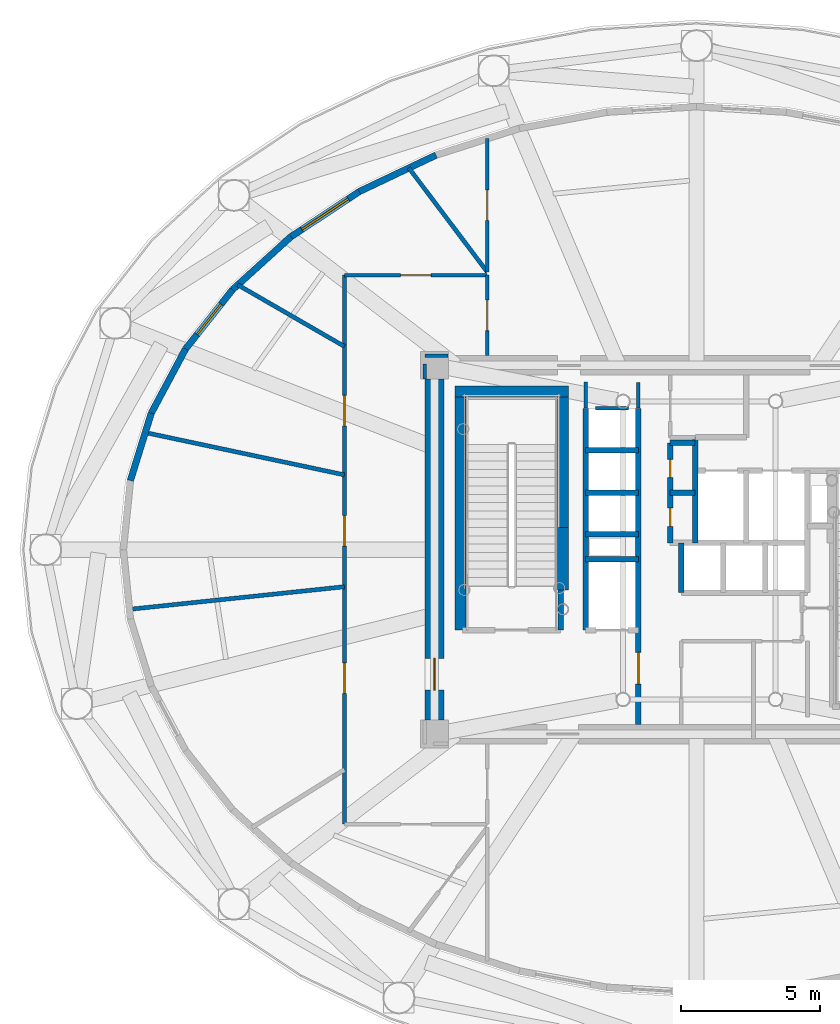
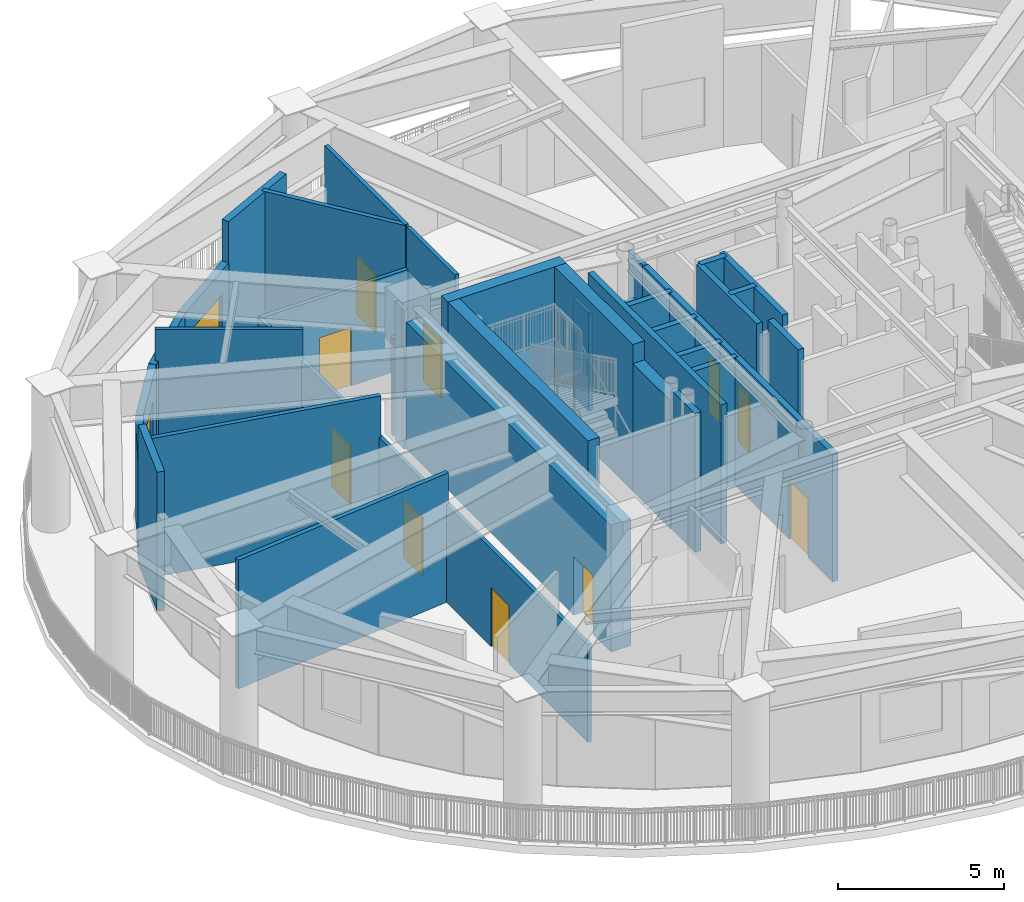
# One storey, part 5 of 14: 36 walls, 10 doors, 2 windows, 12 openings.
"""IFC4 building model written with IfcOpenShell, lengths in metres."""

from ifc_helpers import new_model, si_unit, direction, frame, frame_2d, origin, origin_2d, place, context, subcontext, project, spatial, rectangle, extrude, source, transform, mapped, material, layer, layer_set, type_object, element, fill, save


model = new_model("IFC4")

# Units and contexts
model_context = context("Model", 3, precision=1e-05, world=origin(), true_north=direction((0.0, 1.0)))
body_context = subcontext(model_context, "Body", "Model", "MODEL_VIEW")
ifc_project = project(units=[si_unit("LENGTHUNIT", "METRE"), si_unit("AREAUNIT", "SQUARE_METRE"), si_unit("VOLUMEUNIT", "CUBIC_METRE"), si_unit("PLANEANGLEUNIT", "RADIAN"), si_unit("MASSUNIT", "GRAM", prefix="KILO")], contexts=[model_context])

# Site, building, storey
site_placement = place(None, origin())
site = spatial("IfcSite", under=ifc_project, at=site_placement, CompositionType="ELEMENT")
building_placement = place(site_placement, origin())
building = spatial("IfcBuilding", under=site, at=building_placement, Name="Linh Dai School and Residence Tower", CompositionType="ELEMENT")
storey_placement = place(building_placement, frame((0.0, 0.0, 262.800048828125)))
storey = spatial("IfcBuildingStorey", under=building, at=storey_placement, Name="L65", CompositionType="ELEMENT", Elevation=262.800048828125)

# Wall
ifc_material_1 = material(Name="Precast Concrete B45 (C35/45)", Category="concrete")
ifc_layer_1 = layer(ifc_material_1, 0.239990234375)
ifc_layer_set_1 = layer_set([ifc_layer_1], Name="Precast Concrete B45 (C35/45)")
wall_type_1 = type_object("IfcWallType", Name="EW-TC-240", PredefinedType="SOLIDWALL", material=ifc_layer_set_1)
wall_1_placement = place(storey_placement, frame((23.83544921875, 39.920166015625, 0.0), z_axis=(0.0, 0.0, 1.0), x_axis=(0.903435751873, 0.428723503249, 0.0)))
element("IfcWall", 1, at=wall_1_placement, inside=storey, type_object=wall_type_1, Name="L65 Terracotta Exterior Wall 14", PredefinedType="SOLIDWALL", context=body_context, shape_type="SweptSolid", body=[
    extrude(rectangle(XDim=3.063232421875, YDim=0.239990234375, at=frame_2d((1.53173828125, 0.0))), origin(), (0.0, 0.0, 1.0), 5.099853515625),
])

# Wall, opening, window
wall_2_placement = place(storey_placement, frame((21.36865234375, 38.2890625, 0.0), z_axis=(0.0, 0.0, 1.0), x_axis=(0.834139994044, 0.551552781097, 0.0)))
wall_2 = element("IfcWall", 2, at=wall_2_placement, inside=storey, type_object=wall_type_1, Name="L65 Terracotta Exterior Wall 15", PredefinedType="SOLIDWALL", context=body_context, shape_type="SweptSolid", body=[
    extrude(rectangle(XDim=2.957275390625, YDim=0.239990234375, at=frame_2d((1.478515625, 0.0))), origin(), (0.0, 0.0, 1.0), 3.5849609375),
])
opening_1_placement = place(wall_2_placement, frame((0.478515625, 0.0, 0.89990234375)))
opening_1 = element("IfcOpeningElement", 3, at=opening_1_placement, cuts=wall_2, Name="Opening W5", PredefinedType="OPENING", context=body_context, shape_type="SweptSolid", body=[
    extrude(rectangle(XDim=2.0, YDim=1.800048828125, at=origin_2d()), frame((1.0, 0.1298828125, 0.89990234375), z_axis=(0.0, -1.0, 0.0), x_axis=(1.0, 0.0, 0.0)), (0.0, 0.0, 1.0), 0.260009765625),
])
ifc_material_2 = material(Name="Anodised Aluminium Weather Louvre", Category="aluminium")
window_type = type_object("IfcWindowType", Name="WN-LV-2000x1800", PartitioningType="SINGLE_PANEL", PredefinedType="USERDEFINED", material=ifc_material_2)
shared_shape_1 = source(origin(), body_context, "Body", "SweptSolid", [
    extrude(rectangle(XDim=2.0, YDim=1.800048828125, at=origin_2d()), frame((1.0, 0.030029296875, 0.89990234375), z_axis=(0.0, -1.0, 0.0), x_axis=(1.0, 0.0, 0.0)), (0.0, 0.0, 1.0), 0.06005859375),
])
window_1_placement = place(opening_1_placement, origin())
window_1 = element("IfcWindow", 4, at=window_1_placement, inside=storey, type_object=window_type, Name="L65 Plant Weather Louvre 15", ObjectType="LOUVRE VENT", OverallHeight=1.800048828125, OverallWidth=2.0, PartitioningType="SINGLE_PANEL", PredefinedType="USERDEFINED", context=body_context, shape_type="MappedRepresentation", body=[
    mapped(shared_shape_1, transform((0.0, 0.0, 0.0), x_axis=(1.0, 0.0, 0.0), y_axis=(0.0, 1.0, 0.0), z_axis=(0.0, 0.0, 1.0), scale=1.0)),
])
fill(opening_1, window_1)

# Wall
wall_3_placement = place(storey_placement, frame((19.263671875, 36.380859375, 0.0), z_axis=(0.0, 0.0, 1.0), x_axis=(0.740888066362, 0.67162852316, 0.0)))
element("IfcWall", 5, at=wall_3_placement, inside=storey, type_object=wall_type_1, Name="L65 Terracotta Exterior Wall 16", PredefinedType="SOLIDWALL", context=body_context, shape_type="SweptSolid", body=[
    extrude(rectangle(XDim=2.841064453125, YDim=0.239990234375, at=frame_2d((1.42041015625, 0.0))), origin(), (0.0, 0.0, 1.0), 3.5849609375),
])

# Wall, opening, window
wall_4_placement = place(storey_placement, frame((17.571533203125, 34.242919921875, 0.0), z_axis=(0.0, 0.0, 1.0), x_axis=(0.620613494193, 0.784116630882, 0.0)))
wall_4 = element("IfcWall", 6, at=wall_4_placement, inside=storey, type_object=wall_type_1, Name="L65 Terracotta Exterior Wall 17", PredefinedType="SOLIDWALL", context=body_context, shape_type="SweptSolid", body=[
    extrude(rectangle(XDim=2.7265625, YDim=0.239990234375, at=frame_2d((1.36328125, 0.0))), origin(), (0.0, 0.0, 1.0), 3.5849609375),
])
opening_2_placement = place(wall_4_placement, frame((0.663330078125, 0.0, 0.89990234375)))
opening_2 = element("IfcOpeningElement", 7, at=opening_2_placement, cuts=wall_4, Name="Opening W5", PredefinedType="OPENING", context=body_context, shape_type="SweptSolid", body=[
    extrude(rectangle(XDim=1.39990234375, YDim=1.800048828125, at=origin_2d()), frame((0.699951171875, 0.1298828125, 0.89990234375), z_axis=(0.0, -1.0, 0.0), x_axis=(1.0, 0.0, 0.0)), (0.0, 0.0, 1.0), 0.260009765625),
])
shared_shape_2 = source(origin(), body_context, "Body", "SweptSolid", [
    extrude(rectangle(XDim=1.39990234375, YDim=1.800048828125, at=origin_2d()), frame((0.699951171875, 0.030029296875, 0.89990234375), z_axis=(0.0, -1.0, 0.0), x_axis=(1.0, 0.0, 0.0)), (0.0, 0.0, 1.0), 0.06005859375),
])
window_2_placement = place(opening_2_placement, origin())
window_2 = element("IfcWindow", 8, at=window_2_placement, inside=storey, type_object=window_type, Name="L65 Plant Weather Louvre 17", ObjectType="LOUVRE VENT", OverallHeight=1.800048828125, OverallWidth=1.39990234375, PartitioningType="SINGLE_PANEL", PredefinedType="USERDEFINED", context=body_context, shape_type="MappedRepresentation", body=[
    mapped(shared_shape_2, transform((0.0, 0.0, 0.0), x_axis=(1.0, 0.0, 0.0), y_axis=(0.0, 1.0, 0.0), z_axis=(0.0, 0.0, 1.0), scale=1.0)),
])
fill(opening_2, window_2)

# Walls
wall_5_placement = place(storey_placement, frame((16.333251953125, 31.928466796875, 0.0), z_axis=(0.0, 0.0, 1.0), x_axis=(0.47174643097, 0.881734259778, 0.0)))
element("IfcWall", 9, at=wall_5_placement, inside=storey, type_object=wall_type_1, Name="L65 Terracotta Exterior Wall 18", PredefinedType="SOLIDWALL", context=body_context, shape_type="SweptSolid", body=[
    extrude(rectangle(XDim=2.625, YDim=0.239990234375, at=frame_2d((1.3125, 0.0))), origin(), (0.0, 0.0, 1.0), 3.5849609375),
])
wall_6_placement = place(storey_placement, frame((15.57861328125, 29.494384765625, 0.0), z_axis=(0.0, 0.0, 1.0), x_axis=(0.296124991875, 0.955149197344, 0.0)))
element("IfcWall", 10, at=wall_6_placement, inside=storey, type_object=wall_type_1, Name="L65 Terracotta Exterior Wall 19", PredefinedType="SOLIDWALL", context=body_context, shape_type="SweptSolid", body=[
    extrude(rectangle(XDim=2.54833984375, YDim=0.239990234375, at=frame_2d((1.274169921875, 0.0))), origin(), (0.0, 0.0, 1.0), 5.099853515625),
])

# Wall, openings, doors
ifc_material_3 = material(Name="Autoclaved Aerated Concrete Blockwork", Category="masonry")
ifc_layer_2 = layer(ifc_material_3, 0.135009765625)
ifc_layer_set_2 = layer_set([ifc_layer_2], Name="Autoclaved Aerated Concrete Blockwork")
wall_type_2 = type_object("IfcWallType", Name="IW-CORR-135-EI90", PredefinedType="PARTITIONING", material=ifc_layer_set_2)
wall_7_placement = place(storey_placement, frame((23.300048828125, 17.10009765625, 0.0), z_axis=(0.0, 0.0, 1.0), x_axis=(0.0, 1.0, 0.0)))
wall_7 = element("IfcWall", 11, at=wall_7_placement, inside=storey, type_object=wall_type_2, Name="L65 Interior Partition Wall 005", PredefinedType="PARTITIONING", context=body_context, shape_type="SweptSolid", body=[
    extrude(rectangle(XDim=19.7998046875, YDim=0.135009765625, at=frame_2d((9.89990234375, 0.0))), origin(), (0.0, 0.0, 1.0), 3.5849609375),
])
opening_3_placement = place(wall_7_placement, frame((14.365966796875, 0.0, 0.0)))
opening_3 = element("IfcOpeningElement", 12, at=opening_3_placement, cuts=wall_7, Name="Opening D07", PredefinedType="OPENING", context=body_context, shape_type="SweptSolid", body=[
    extrude(rectangle(XDim=1.10009765625, YDim=2.14990234375, at=origin_2d()), frame((0.550048828125, 0.07763671875, 1.074951171875), z_axis=(0.0, -1.0, 0.0), x_axis=(1.0, 0.0, 0.0)), (0.0, 0.0, 1.0), 0.155029296875),
])
opening_4_placement = place(wall_7_placement, frame((10.0322265625, 0.0, 0.0)))
opening_4 = element("IfcOpeningElement", 13, at=opening_4_placement, cuts=wall_7, Name="Opening D07", PredefinedType="OPENING", context=body_context, shape_type="SweptSolid", body=[
    extrude(rectangle(XDim=1.10009765625, YDim=2.14990234375, at=origin_2d()), frame((0.550048828125, 0.07763671875, 1.074951171875), z_axis=(0.0, -1.0, 0.0), x_axis=(1.0, 0.0, 0.0)), (0.0, 0.0, 1.0), 0.155029296875),
])
opening_5_placement = place(wall_7_placement, frame((4.714599609375, 0.0, 0.0)))
opening_5 = element("IfcOpeningElement", 14, at=opening_5_placement, cuts=wall_7, Name="Opening D07", PredefinedType="OPENING", context=body_context, shape_type="SweptSolid", body=[
    extrude(rectangle(XDim=1.10009765625, YDim=2.14990234375, at=origin_2d()), frame((0.550048828125, 0.07763671875, 1.074951171875), z_axis=(0.0, -1.0, 0.0), x_axis=(1.0, 0.0, 0.0)), (0.0, 0.0, 1.0), 0.155029296875),
])
ifc_material_4 = material(Name="Fire-Rated Louvred Steel Plant Door", Category="steel")
door_type_1 = type_object("IfcDoorType", Name="DR-PLT-1100x2150-FD60S", OperationType="NOTDEFINED", PredefinedType="DOOR", material=ifc_material_4)
shared_shape_3 = source(origin(), body_context, "Body", "SweptSolid", [
    extrude(rectangle(XDim=1.10009765625, YDim=2.14990234375, at=origin_2d()), frame((0.550048828125, 0.02490234375, 1.074951171875), z_axis=(0.0, -1.0, 0.0), x_axis=(1.0, 0.0, 0.0)), (0.0, 0.0, 1.0), 0.050048828125),
])
door_1_placement = place(opening_3_placement, origin())
door_1 = element("IfcDoor", 15, at=door_1_placement, inside=storey, type_object=door_type_1, Name="L65 Heat-Recovery Ventilation Plant Room West 1 Door", OperationType="SINGLE_SWING_LEFT", OverallHeight=2.14990234375, OverallWidth=1.10009765625, PredefinedType="DOOR", context=body_context, shape_type="MappedRepresentation", body=[
    mapped(shared_shape_3, transform((0.0, 0.0, 0.0), x_axis=(1.0, 0.0, 0.0), y_axis=(0.0, 1.0, 0.0), z_axis=(0.0, 0.0, 1.0), scale=1.0)),
])
fill(opening_3, door_1)
door_2_placement = place(opening_4_placement, origin())
door_2 = element("IfcDoor", 16, at=door_2_placement, inside=storey, type_object=door_type_1, Name="L65 Chilled-Water Heat-Exchanger Plant Room West Door", OperationType="SINGLE_SWING_RIGHT", OverallHeight=2.14990234375, OverallWidth=1.10009765625, PredefinedType="DOOR", context=body_context, shape_type="MappedRepresentation", body=[
    mapped(shared_shape_3, transform((0.0, 0.0, 0.0), x_axis=(1.0, 0.0, 0.0), y_axis=(0.0, 1.0, 0.0), z_axis=(0.0, 0.0, 1.0), scale=1.0)),
])
fill(opening_4, door_2)
door_3_placement = place(opening_5_placement, origin())
door_3 = element("IfcDoor", 17, at=door_3_placement, inside=storey, type_object=door_type_1, Name="L65 Heat-Recovery Ventilation Plant Room West 2 Door", OperationType="SINGLE_SWING_LEFT", OverallHeight=2.14990234375, OverallWidth=1.10009765625, PredefinedType="DOOR", context=body_context, shape_type="MappedRepresentation", body=[
    mapped(shared_shape_3, transform((0.0, 0.0, 0.0), x_axis=(1.0, 0.0, 0.0), y_axis=(0.0, 1.0, 0.0), z_axis=(0.0, 0.0, 1.0), scale=1.0)),
])
fill(opening_5, door_3)

# Wall, opening, door
wall_8_placement = place(storey_placement, frame((23.300048828125, 36.89990234375, 0.0), z_axis=(0.0, 0.0, 1.0), x_axis=(1.0, 0.0, 0.0)))
wall_8 = element("IfcWall", 18, at=wall_8_placement, inside=storey, type_object=wall_type_2, Name="L65 Interior Partition Wall 007", PredefinedType="PARTITIONING", context=body_context, shape_type="SweptSolid", body=[
    extrude(rectangle(XDim=5.14990234375, YDim=0.135009765625, at=frame_2d((2.574951171875, 0.0))), origin(), (0.0, 0.0, 1.0), 3.5849609375),
])
opening_6_placement = place(wall_8_placement, frame((2.02490234375, 0.0, 0.0)))
opening_6 = element("IfcOpeningElement", 19, at=opening_6_placement, cuts=wall_8, Name="Opening D07", PredefinedType="OPENING", context=body_context, shape_type="SweptSolid", body=[
    extrude(rectangle(XDim=1.10009765625, YDim=2.14990234375, at=origin_2d()), frame((0.550048828125, 0.07763671875, 1.074951171875), z_axis=(0.0, -1.0, 0.0), x_axis=(1.0, 0.0, 0.0)), (0.0, 0.0, 1.0), 0.155029296875),
])
door_4_placement = place(opening_6_placement, origin())
door_4 = element("IfcDoor", 20, at=door_4_placement, inside=storey, type_object=door_type_1, Name="L65 Zone LV Switchboard Plant Room Door", OperationType="SINGLE_SWING_RIGHT", OverallHeight=2.14990234375, OverallWidth=1.10009765625, PredefinedType="DOOR", context=body_context, shape_type="MappedRepresentation", body=[
    mapped(shared_shape_3, transform((0.0, 0.0, 0.0), x_axis=(1.0, 0.0, 0.0), y_axis=(0.0, 1.0, 0.0), z_axis=(0.0, 0.0, 1.0), scale=1.0)),
])
fill(opening_6, door_4)

wall_9_placement = place(storey_placement, frame((28.449951171875, 34.0, 0.0), z_axis=(0.0, 0.0, 1.0), x_axis=(0.0, 1.0, 0.0)))
wall_9 = element("IfcWall", 21, at=wall_9_placement, inside=storey, type_object=wall_type_2, Name="L65 Interior Partition Wall 013", PredefinedType="PARTITIONING", context=body_context, shape_type="SweptSolid", body=[
    extrude(rectangle(XDim=2.89990234375, YDim=0.135009765625, at=frame_2d((1.449951171875, 0.0))), origin(), (0.0, 0.0, 1.0), 5.099853515625),
])
opening_7_placement = place(wall_9_placement, frame((0.89990234375, 0.0, 0.0)))
opening_7 = element("IfcOpeningElement", 22, at=opening_7_placement, cuts=wall_9, Name="Opening D07", PredefinedType="OPENING", context=body_context, shape_type="SweptSolid", body=[
    extrude(rectangle(XDim=1.10009765625, YDim=2.14990234375, at=origin_2d()), frame((0.550048828125, 0.07763671875, 1.074951171875), z_axis=(0.0, -1.0, 0.0), x_axis=(1.0, 0.0, 0.0)), (0.0, 0.0, 1.0), 0.155029296875),
])
door_5_placement = place(opening_7_placement, origin())
door_5 = element("IfcDoor", 23, at=door_5_placement, inside=storey, type_object=door_type_1, Name="L65 Pressurised Fire Refuge Area North Corridor Door", OperationType="SINGLE_SWING_RIGHT", OverallHeight=2.14990234375, OverallWidth=1.10009765625, PredefinedType="DOOR", context=body_context, shape_type="MappedRepresentation", body=[
    mapped(shared_shape_3, transform((0.0, 0.0, 0.0), x_axis=(1.0, 0.0, 0.0), y_axis=(0.0, 1.0, 0.0), z_axis=(0.0, 0.0, 1.0), scale=1.0)),
])
fill(opening_7, door_5)

wall_10_placement = place(storey_placement, frame((28.449951171875, 37.019287109375, 0.0), z_axis=(0.0, 0.0, 1.0), x_axis=(0.0, 1.0, 0.0)))
wall_10 = element("IfcWall", 24, at=wall_10_placement, inside=storey, type_object=wall_type_2, Name="L65 Interior Partition Wall 014", PredefinedType="PARTITIONING", context=body_context, shape_type="SweptSolid", body=[
    extrude(rectangle(XDim=4.811767578125, YDim=0.135009765625, at=frame_2d((2.40576171875, 0.0))), origin(), (0.0, 0.0, 1.0), 5.099853515625),
])
opening_8_placement = place(wall_10_placement, frame((1.85595703125, 0.0, 0.0)))
opening_8 = element("IfcOpeningElement", 25, at=opening_8_placement, cuts=wall_10, Name="Opening D07", PredefinedType="OPENING", context=body_context, shape_type="SweptSolid", body=[
    extrude(rectangle(XDim=1.10009765625, YDim=2.14990234375, at=origin_2d()), frame((0.550048828125, 0.07763671875, 1.074951171875), z_axis=(0.0, -1.0, 0.0), x_axis=(1.0, 0.0, 0.0)), (0.0, 0.0, 1.0), 0.155029296875),
])
door_6_placement = place(opening_8_placement, origin())
door_6 = element("IfcDoor", 26, at=door_6_placement, inside=storey, type_object=door_type_1, Name="L65 Zone HV Transformer Plant Room Door", OperationType="SINGLE_SWING_LEFT", OverallHeight=2.14990234375, OverallWidth=1.10009765625, PredefinedType="DOOR", context=body_context, shape_type="MappedRepresentation", body=[
    mapped(shared_shape_3, transform((0.0, 0.0, 0.0), x_axis=(1.0, 0.0, 0.0), y_axis=(0.0, 1.0, 0.0), z_axis=(0.0, 0.0, 1.0), scale=1.0)),
])
fill(opening_8, door_6)

# Walls
wall_11_placement = place(storey_placement, frame((32.360107421875, 32.10009765625, 0.0), z_axis=(0.0, 0.0, 1.0), x_axis=(1.0, 0.0, 0.0)))
element("IfcWall", 27, at=wall_11_placement, inside=storey, type_object=wall_type_2, Name="L65 Interior Partition Wall 057", PredefinedType="PARTITIONING", context=body_context, shape_type="SweptSolid", body=[
    extrude(rectangle(XDim=1.179931640625, YDim=0.135009765625, at=frame_2d((0.58984375, 0.0))), origin(), (0.0, 0.0, 1.0), 3.5849609375),
])
wall_12_placement = place(storey_placement, frame((32.0, 33.0400390625, 0.0), z_axis=(0.0, 0.0, 1.0), x_axis=(0.0, -1.0, 0.0)))
element("IfcWall", 28, at=wall_12_placement, inside=storey, type_object=wall_type_2, Name="L65 Interior Partition Wall 059", PredefinedType="PARTITIONING", context=body_context, shape_type="SweptSolid", body=[
    extrude(rectangle(XDim=0.929931640625, YDim=0.135009765625, at=frame_2d((0.46484375, 0.0))), origin(), (0.0, 0.0, 1.0), 3.5849609375),
])
wall_13_placement = place(storey_placement, frame((33.89990234375, 32.110107421875, 0.0), z_axis=(0.0, 0.0, 1.0), x_axis=(0.0, 1.0, 0.0)))
element("IfcWall", 29, at=wall_13_placement, inside=storey, type_object=wall_type_2, Name="L65 Interior Partition Wall 061", PredefinedType="PARTITIONING", context=body_context, shape_type="SweptSolid", body=[
    extrude(rectangle(XDim=0.929931640625, YDim=0.135009765625, at=frame_2d((0.46484375, 0.0))), origin(), (0.0, 0.0, 1.0), 4.68505859375),
])
wall_14_placement = place(storey_placement, frame((27.0400390625, 34.0, 0.0), z_axis=(0.0, 0.0, 1.0), x_axis=(-1.0, 0.0, 0.0)))
element("IfcWall", 30, at=wall_14_placement, inside=storey, type_object=wall_type_2, Name="L65 Interior Partition Wall 062", PredefinedType="PARTITIONING", context=body_context, shape_type="SweptSolid", body=[
    extrude(rectangle(XDim=0.840087890625, YDim=0.135009765625, at=frame_2d((0.419921875, 0.0))), origin(), (0.0, 0.0, 1.0), 3.5849609375),
])
wall_15_placement = place(storey_placement, frame((26.199951171875, 33.6923828125, 0.0), z_axis=(0.0, 0.0, 1.0), x_axis=(0.0, -1.0, 0.0)))
element("IfcWall", 31, at=wall_15_placement, inside=storey, type_object=wall_type_2, Name="L65 Interior Partition Wall 063", PredefinedType="PARTITIONING", context=body_context, shape_type="SweptSolid", body=[
    extrude(rectangle(XDim=0.532470703125, YDim=0.135009765625, at=frame_2d((0.26611328125, 0.0))), origin(), (0.0, 0.0, 1.0), 5.099853515625),
])
ifc_layer_3 = layer(ifc_material_3, 0.14990234375)
ifc_layer_set_3 = layer_set([ifc_layer_3], Name="Autoclaved Aerated Concrete Blockwork")
wall_type_3 = type_object("IfcWallType", Name="IW-SCH-150-EI60", PredefinedType="PARTITIONING", material=ifc_layer_set_3)
wall_16_placement = place(storey_placement, frame((15.53857421875, 24.849365234375, 0.0), z_axis=(0.0, 0.0, 1.0), x_axis=(0.994519842294, 0.104547995123, 0.0)))
element("IfcWall", 32, at=wall_16_placement, inside=storey, type_object=wall_type_3, Name="L65 Interior Partition Wall 001", PredefinedType="PARTITIONING", context=body_context, shape_type="SweptSolid", body=[
    extrude(rectangle(XDim=7.80419921875, YDim=0.14990234375, at=frame_2d((3.902099609375, 0.0))), origin(), (0.0, 0.0, 1.0), 4.724853515625),
])
wall_17_placement = place(storey_placement, frame((16.11083984375, 31.2275390625, 0.0), z_axis=(0.0, 0.0, 1.0), x_axis=(0.978148634771, -0.207906825994, 0.0)))
element("IfcWall", 33, at=wall_17_placement, inside=storey, type_object=wall_type_3, Name="L65 Interior Partition Wall 002", PredefinedType="PARTITIONING", context=body_context, shape_type="SweptSolid", body=[
    extrude(rectangle(XDim=7.349853515625, YDim=0.14990234375, at=frame_2d((3.6748046875, 0.0))), origin(), (0.0, 0.0, 1.0), 5.099853515625),
])
wall_18_placement = place(storey_placement, frame((19.44921875, 36.5556640625, 0.0), z_axis=(0.0, 0.0, 1.0), x_axis=(0.866014605104, -0.500018703397, 0.0)))
element("IfcWall", 34, at=wall_18_placement, inside=storey, type_object=wall_type_3, Name="L65 Interior Partition Wall 003", PredefinedType="PARTITIONING", context=body_context, shape_type="SweptSolid", body=[
    extrude(rectangle(XDim=4.446533203125, YDim=0.14990234375, at=frame_2d((2.22314453125, 0.0))), origin(), (0.0, 0.0, 1.0), 4.724853515625),
])
wall_19_placement = place(storey_placement, frame((25.62109375, 40.773193359375, 0.0), z_axis=(0.0, 0.0, 1.0), x_axis=(0.601826714874, -0.798626699569, 0.0)))
element("IfcWall", 35, at=wall_19_placement, inside=storey, type_object=wall_type_3, Name="L65 Interior Partition Wall 009", PredefinedType="PARTITIONING", context=body_context, shape_type="SweptSolid", body=[
    extrude(rectangle(XDim=4.700439453125, YDim=0.14990234375, at=frame_2d((2.35009765625, 0.0))), origin(), (0.0, 0.0, 1.0), 5.099853515625),
])
ifc_material_5 = material(Name="Concrete B45 (C35/45)", Category="concrete")
ifc_layer_4 = layer(ifc_material_5, 0.199951171875)
ifc_layer_set_4 = layer_set([ifc_layer_4], Name="Concrete B45 (C35/45)")
wall_type_4 = type_object("IfcWallType", Name="IW-SHAFT-200-EI120", PredefinedType="PARTITIONING", material=ifc_layer_set_4)
wall_20_placement = place(storey_placement, frame((31.10009765625, 24.10009765625, 0.0), z_axis=(0.0, 0.0, 1.0), x_axis=(0.0, 1.0, 0.0)))
element("IfcWall", 36, at=wall_20_placement, inside=storey, type_object=wall_type_4, Name="L65 Interior Partition Wall 015", PredefinedType="PARTITIONING", context=body_context, shape_type="SweptSolid", body=[
    extrude(rectangle(XDim=1.43994140625, YDim=0.199951171875, at=frame_2d((0.719970703125, 0.0))), origin(), (0.0, 0.0, 1.0), 5.099853515625),
])
wall_21_placement = place(storey_placement, frame((32.0, 24.10009765625, 0.0), z_axis=(0.0, 0.0, 1.0), x_axis=(0.0, 1.0, 0.0)))
element("IfcWall", 37, at=wall_21_placement, inside=storey, type_object=wall_type_4, Name="L65 Interior Partition Wall 016", PredefinedType="PARTITIONING", context=body_context, shape_type="SweptSolid", body=[
    extrude(rectangle(XDim=8.0, YDim=0.199951171875, at=frame_2d((4.0, 0.0))), origin(), (0.0, 0.0, 1.0), 5.099853515625),
])
for number, where, z_axis, x_axis, name in (
    (38, (32.0, 26.64990234375, 0.0), (0.0, 0.0, 1.0), (1.0, 0.0, 0.0), "L65 Interior Partition Wall 018"),
    (39, (32.0, 27.550048828125, 0.0), (0.0, 0.0, 1.0), (1.0, 0.0, 0.0), "L65 Interior Partition Wall 019"),
    (40, (32.0, 29.06005859375, 0.0), (0.0, 0.0, 1.0), (1.0, 0.0, 0.0), "L65 Interior Partition Wall 020"),
    (41, (32.0, 30.580078125, 0.0), (0.0, 0.0, 1.0), (1.0, 0.0, 0.0), "L65 Interior Partition Wall 021"),
):
    element("IfcWall", number, at=place(storey_placement, frame(where, z_axis=z_axis, x_axis=x_axis)), inside=storey, type_object=wall_type_4, Name=name, PredefinedType="PARTITIONING", context=body_context, shape_type="SweptSolid", body=[
        extrude(rectangle(XDim=1.89990234375, YDim=0.199951171875, at=frame_2d((0.949951171875, 0.0))), origin(), (0.0, 0.0, 1.0), 4.68505859375),
    ])

# Wall, opening, door
wall_22_placement = place(storey_placement, frame((33.89990234375, 20.699951171875, 0.0), z_axis=(0.0, 0.0, 1.0), x_axis=(0.0, 1.0, 0.0)))
wall_22 = element("IfcWall", 42, at=wall_22_placement, inside=storey, type_object=wall_type_4, Name="L65 Interior Partition Wall 022", PredefinedType="PARTITIONING", context=body_context, shape_type="SweptSolid", body=[
    extrude(rectangle(XDim=11.400146484375, YDim=0.199951171875, at=frame_2d((5.7001953125, 0.0))), origin(), (0.0, 0.0, 1.0), 4.68505859375),
])
opening_9_placement = place(wall_22_placement, frame((1.452392578125, 0.0, 0.0)))
opening_9 = element("IfcOpeningElement", 43, at=opening_9_placement, cuts=wall_22, Name="Opening D02", PredefinedType="OPENING", context=body_context, shape_type="SweptSolid", body=[
    extrude(rectangle(XDim=1.14990234375, YDim=2.14990234375, at=origin_2d()), frame((0.574951171875, 0.10986328125, 1.074951171875), z_axis=(0.0, -1.0, 0.0), x_axis=(1.0, 0.0, 0.0)), (0.0, 0.0, 1.0), 0.219970703125),
])
ifc_material_6 = material(Name="Fire-Rated Glazed Steel Lobby Door", Category="steel")
door_type_2 = type_object("IfcDoorType", Name="DR-LOBBY-1150x2150-FD90S", OperationType="NOTDEFINED", PredefinedType="DOOR", material=ifc_material_6)
shared_shape_4 = source(origin(), body_context, "Body", "SweptSolid", [
    extrude(rectangle(XDim=1.14990234375, YDim=2.14990234375, at=origin_2d()), frame((0.574951171875, 0.02490234375, 1.074951171875), z_axis=(0.0, -1.0, 0.0), x_axis=(1.0, 0.0, 0.0)), (0.0, 0.0, 1.0), 0.050048828125),
])
door_7_placement = place(opening_9_placement, origin())
door_7 = element("IfcDoor", 44, at=door_7_placement, inside=storey, type_object=door_type_2, Name="L65 Passenger Foyer Access Door", OperationType="SINGLE_SWING_RIGHT", OverallHeight=2.14990234375, OverallWidth=1.14990234375, PredefinedType="DOOR", context=body_context, shape_type="MappedRepresentation", body=[
    mapped(shared_shape_4, transform((0.0, 0.0, 0.0), x_axis=(1.0, 0.0, 0.0), y_axis=(0.0, 1.0, 0.0), z_axis=(0.0, 0.0, 1.0), scale=1.0)),
])
fill(opening_9, door_7)

# Wall, openings, doors
wall_23_placement = place(storey_placement, frame((35.050048828125, 27.25, 0.0), z_axis=(0.0, 0.0, 1.0), x_axis=(0.0, 1.0, 0.0)))
wall_23 = element("IfcWall", 45, at=wall_23_placement, inside=storey, type_object=wall_type_4, Name="L65 Interior Partition Wall 023", PredefinedType="PARTITIONING", context=body_context, shape_type="SweptSolid", body=[
    extrude(rectangle(XDim=3.60009765625, YDim=0.199951171875, at=frame_2d((1.800048828125, 0.0))), origin(), (0.0, 0.0, 1.0), 5.099853515625),
])
opening_10_placement = place(wall_23_placement, frame((0.590087890625, 0.0, 0.0)))
opening_10 = element("IfcOpeningElement", 46, at=opening_10_placement, cuts=wall_23, Name="Opening AD1", PredefinedType="OPENING", context=body_context, shape_type="SweptSolid", body=[
    extrude(rectangle(XDim=0.659912109375, YDim=2.050048828125, at=origin_2d()), frame((0.330078125, 0.10986328125, 1.02490234375), z_axis=(0.0, -1.0, 0.0), x_axis=(1.0, 0.0, 0.0)), (0.0, 0.0, 1.0), 0.219970703125),
])
opening_11_placement = place(wall_23_placement, frame((2.35009765625, 0.0, 0.0)))
opening_11 = element("IfcOpeningElement", 47, at=opening_11_placement, cuts=wall_23, Name="Opening AD1", PredefinedType="OPENING", context=body_context, shape_type="SweptSolid", body=[
    extrude(rectangle(XDim=0.659912109375, YDim=2.050048828125, at=origin_2d()), frame((0.330078125, 0.10986328125, 1.02490234375), z_axis=(0.0, -1.0, 0.0), x_axis=(1.0, 0.0, 0.0)), (0.0, 0.0, 1.0), 0.219970703125),
])
ifc_material_7 = material(Name="Fire-Rated Steel Riser Access Door", Category="steel")
door_type_3 = type_object("IfcDoorType", Name="DR-ACC-660x2050-FD90S", OperationType="NOTDEFINED", PredefinedType="USERDEFINED", material=ifc_material_7)
shared_shape_5 = source(origin(), body_context, "Body", "SweptSolid", [
    extrude(rectangle(XDim=0.659912109375, YDim=2.050048828125, at=origin_2d()), frame((0.330078125, 0.02490234375, 1.02490234375), z_axis=(0.0, -1.0, 0.0), x_axis=(1.0, 0.0, 0.0)), (0.0, 0.0, 1.0), 0.050048828125),
])
door_8_placement = place(opening_10_placement, origin())
door_8 = element("IfcDoor", 48, at=door_8_placement, inside=storey, type_object=door_type_3, Name="L65 Telecom and Data Riser Access Door", ObjectType="ACCESS DOOR", OperationType="SINGLE_SWING_LEFT", OverallHeight=2.050048828125, OverallWidth=0.659912109375, PredefinedType="USERDEFINED", context=body_context, shape_type="MappedRepresentation", body=[
    mapped(shared_shape_5, transform((0.0, 0.0, 0.0), x_axis=(1.0, 0.0, 0.0), y_axis=(0.0, 1.0, 0.0), z_axis=(0.0, 0.0, 1.0), scale=1.0)),
])
fill(opening_10, door_8)
door_9_placement = place(opening_11_placement, origin())
door_9 = element("IfcDoor", 49, at=door_9_placement, inside=storey, type_object=door_type_3, Name="L65 Mechanical and Plumbing Riser Access Door", ObjectType="ACCESS DOOR", OperationType="SINGLE_SWING_RIGHT", OverallHeight=2.050048828125, OverallWidth=0.659912109375, PredefinedType="USERDEFINED", context=body_context, shape_type="MappedRepresentation", body=[
    mapped(shared_shape_5, transform((0.0, 0.0, 0.0), x_axis=(1.0, 0.0, 0.0), y_axis=(0.0, 1.0, 0.0), z_axis=(0.0, 0.0, 1.0), scale=1.0)),
])
fill(opening_11, door_9)

# Walls
for number, where, z_axis, x_axis, name in (
    (50, (35.050048828125, 29.050048828125, 0.0), (0.0, 0.0, 1.0), (1.0, 0.0, 0.0), "L65 Interior Partition Wall 025"),
    (51, (35.050048828125, 30.85009765625, 0.0), (0.0, 0.0, 1.0), (1.0, 0.0, 0.0), "L65 Interior Partition Wall 026"),
):
    element("IfcWall", number, at=place(storey_placement, frame(where, z_axis=z_axis, x_axis=x_axis)), inside=storey, type_object=wall_type_4, Name=name, PredefinedType="PARTITIONING", context=body_context, shape_type="SweptSolid", body=[
        extrude(rectangle(XDim=0.89990234375, YDim=0.199951171875, at=frame_2d((0.449951171875, 0.0))), origin(), (0.0, 0.0, 1.0), 5.099853515625),
    ])
wall_24_placement = place(storey_placement, frame((35.449951171875, 25.449951171875, 0.0), z_axis=(0.0, 0.0, 1.0), x_axis=(0.0, 1.0, 0.0)))
element("IfcWall", 52, at=wall_24_placement, inside=storey, type_object=wall_type_4, Name="L65 Interior Partition Wall 031", PredefinedType="PARTITIONING", context=body_context, shape_type="SweptSolid", body=[
    extrude(rectangle(XDim=1.800048828125, YDim=0.199951171875, at=frame_2d((0.89990234375, 0.0))), origin(), (0.0, 0.0, 1.0), 5.099853515625),
])
wall_25_placement = place(storey_placement, frame((35.949951171875, 27.25, 0.0), z_axis=(0.0, 0.0, 1.0), x_axis=(0.0, 1.0, 0.0)))
element("IfcWall", 53, at=wall_25_placement, inside=storey, type_object=wall_type_4, Name="L65 Interior Partition Wall 033", PredefinedType="PARTITIONING", context=body_context, shape_type="SweptSolid", body=[
    extrude(rectangle(XDim=3.800048828125, YDim=0.199951171875, at=frame_2d((1.89990234375, 0.0))), origin(), (0.0, 0.0, 1.0), 5.099853515625),
])
ifc_layer_5 = layer(ifc_material_5, 0.39990234375)
ifc_layer_set_5 = layer_set([ifc_layer_5], Name="Concrete B45 (C35/45)")
wall_type_5 = type_object("IfcWallType", Name="WL-CORE400", PredefinedType="SHEAR", material=ifc_layer_set_5)
wall_26_placement = place(storey_placement, frame((27.47998046875, 24.10009765625, 0.0), z_axis=(0.0, 0.0, 1.0), x_axis=(0.0, 1.0, 0.0)))
element("IfcWall", 54, at=wall_26_placement, inside=storey, type_object=wall_type_5, Name="L65 Core Stair ST1 Bearing Wall W", PredefinedType="SHEAR", context=body_context, shape_type="SweptSolid", body=[
    extrude(rectangle(XDim=8.599853515625, YDim=0.39990234375, at=frame_2d((4.2998046875, 0.0))), origin(), (0.0, 0.0, 1.0), 5.39990234375),
])
wall_27_placement = place(storey_placement, frame((31.179931640625, 27.800048828125, 0.0), z_axis=(0.0, 0.0, 1.0), x_axis=(0.0, 1.0, 0.0)))
element("IfcWall", 55, at=wall_27_placement, inside=storey, type_object=wall_type_5, Name="L65 Core Stair ST1 Bearing Wall E", PredefinedType="SHEAR", context=body_context, shape_type="SweptSolid", body=[
    extrude(rectangle(XDim=4.89990234375, YDim=0.39990234375, at=frame_2d((2.449951171875, 0.0))), origin(), (0.0, 0.0, 1.0), 5.39990234375),
])
wall_28_placement = place(storey_placement, frame((27.280029296875, 32.699951171875, 0.0), z_axis=(0.0, 0.0, 1.0), x_axis=(1.0, 0.0, 0.0)))
element("IfcWall", 56, at=wall_28_placement, inside=storey, type_object=wall_type_5, Name="L65 Core Stair ST1 Bearing Wall N", PredefinedType="SHEAR", context=body_context, shape_type="SweptSolid", body=[
    extrude(rectangle(XDim=4.099853515625, YDim=0.39990234375, at=frame_2d((2.0498046875, 0.0))), origin(), (0.0, 0.0, 1.0), 5.39990234375),
])
wall_29_placement = place(storey_placement, frame((31.179931640625, 25.550048828125, 0.0), z_axis=(0.0, 0.0, 1.0), x_axis=(0.0, 1.0, 0.0)))
element("IfcWall", 57, at=wall_29_placement, inside=storey, type_object=wall_type_5, Name="L65 Internal Core Shear Wall IW", PredefinedType="SHEAR", context=body_context, shape_type="SweptSolid", body=[
    extrude(rectangle(XDim=2.25, YDim=0.39990234375, at=frame_2d((1.125, 0.0))), origin(), (0.0, 0.0, 1.0), 4.699951171875),
])

# Wall, opening, door
ifc_layer_6 = layer(ifc_material_5, 0.699951171875)
ifc_layer_set_6 = layer_set([ifc_layer_6], Name="Concrete B45 (C35/45)")
wall_type_6 = type_object("IfcWallType", Name="WL-CORE700", PredefinedType="SHEAR", material=ifc_layer_set_6)
wall_30_placement = place(storey_placement, frame((26.550048828125, 20.85009765625, 0.0), z_axis=(0.0, 0.0, 1.0), x_axis=(0.0, 1.0, 0.0)))
wall_30 = element("IfcWall", 58, at=wall_30_placement, inside=storey, type_object=wall_type_6, Name="L65 Central Core Shear Wall W", PredefinedType="SHEAR", context=body_context, shape_type="SweptSolid", body=[
    extrude(rectangle(XDim=12.2998046875, YDim=0.699951171875, at=frame_2d((6.14990234375, 0.0))), origin(), (0.0, 0.0, 1.0), 4.64990234375),
])
opening_12_placement = place(wall_30_placement, frame((1.085205078125, 0.0, 0.0)))
opening_12 = element("IfcOpeningElement", 59, at=opening_12_placement, cuts=wall_30, Name="Opening D02", PredefinedType="OPENING", context=body_context, shape_type="SweptSolid", body=[
    extrude(rectangle(XDim=1.14990234375, YDim=2.14990234375, at=origin_2d()), frame((0.574951171875, 0.35986328125, 1.074951171875), z_axis=(0.0, -1.0, 0.0), x_axis=(1.0, 0.0, 0.0)), (0.0, 0.0, 1.0), 0.719970703125),
])
door_10_placement = place(opening_12_placement, origin())
door_10 = element("IfcDoor", 60, at=door_10_placement, inside=storey, type_object=door_type_2, Name="L65 Firefighting Lobby Door", OperationType="SINGLE_SWING_LEFT", OverallHeight=2.14990234375, OverallWidth=1.14990234375, PredefinedType="DOOR", context=body_context, shape_type="MappedRepresentation", body=[
    mapped(shared_shape_4, transform((0.0, 0.0, 0.0), x_axis=(1.0, 0.0, 0.0), y_axis=(0.0, 1.0, 0.0), z_axis=(0.0, 0.0, 1.0), scale=1.0)),
])
fill(opening_12, door_10)

save(model, "model.ifc")
